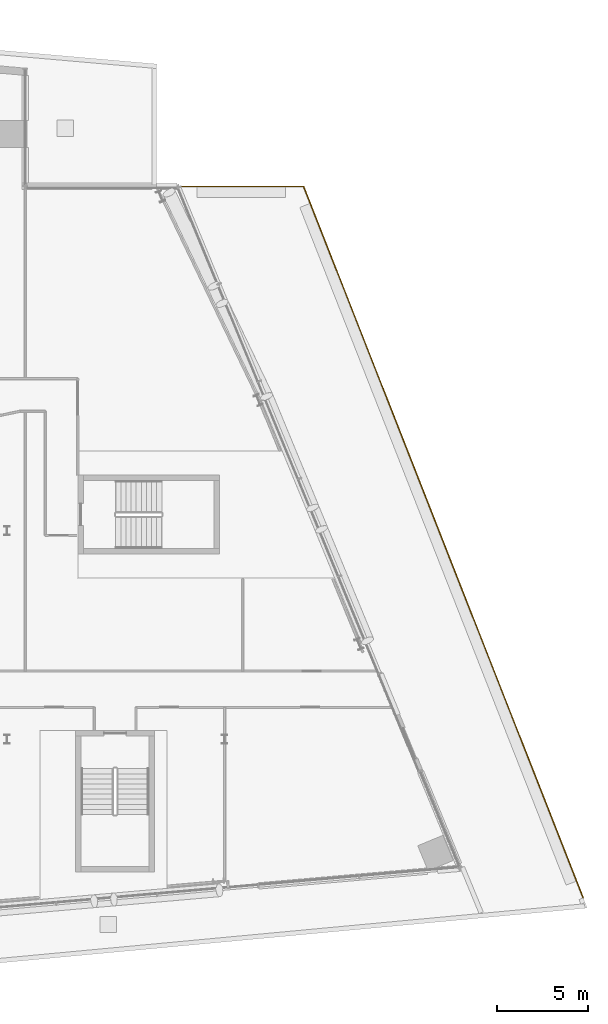
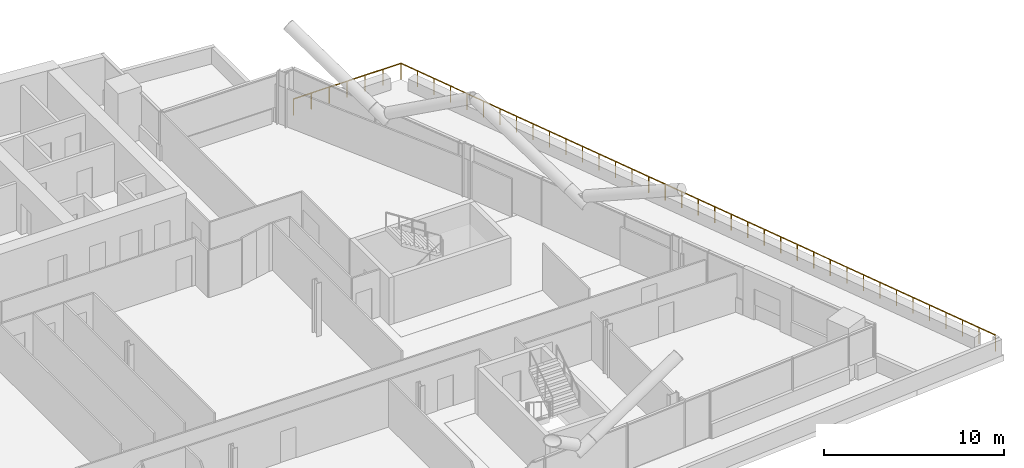
# One storey, part 30 of 30: 1 railing.
"""IFC4 building model written with IfcOpenShell, lengths in metres."""

from ifc_helpers import new_model, si_unit, direction, frame, origin, origin_2d, place, context, subcontext, project, spatial, circle, extrude, material, type_object, element, save


model = new_model("IFC4")

# Units and contexts
model_context = context("Model", 3, precision=1e-05, world=origin(), true_north=direction((0.0, 1.0)))
body_context = subcontext(model_context, "Body", "Model", "MODEL_VIEW")
ifc_project = project(units=[si_unit("LENGTHUNIT", "METRE"), si_unit("AREAUNIT", "SQUARE_METRE"), si_unit("VOLUMEUNIT", "CUBIC_METRE"), si_unit("PLANEANGLEUNIT", "RADIAN"), si_unit("MASSUNIT", "GRAM", prefix="KILO")], contexts=[model_context])

# Site, building, storey
site_placement = place(None, origin())
site = spatial("IfcSite", under=ifc_project, at=site_placement, CompositionType="ELEMENT")
building_placement = place(site_placement, origin())
building = spatial("IfcBuilding", under=site, at=building_placement, Name="Wharfspan Tower", CompositionType="ELEMENT")
storey_placement = place(building_placement, frame((0.0, 0.0, 151.899902)))
storey = spatial("IfcBuildingStorey", under=building, at=storey_placement, Name="L36", CompositionType="ELEMENT", Elevation=151.899902)

# Railing
ifc_material = material(Name="Steel S355J2", Category="steel")
railing_type = type_object("IfcRailingType", Name="GUARD 1100 STEEL AND GLASS", PredefinedType="GUARDRAIL", material=ifc_material)
railing_placement = place(storey_placement, frame((69.477051, 42.0, 0.0)))
element("IfcRailing", 1, at=railing_placement, inside=storey, type_object=railing_type, Name="Terrace guard T2E", PredefinedType="GUARDRAIL", context=body_context, shape_type="SweptSolid", body=[
    extrude(circle(Radius=0.024902, at=origin_2d()), frame((0.0, 0.0, 1.075195), z_axis=(1.0, 0.0, 0.0), x_axis=(0.0, 1.0, 0.0)), (0.0, 0.0, 1.0), 6.881104),
    extrude(circle(Radius=0.024902, at=origin_2d()), frame((6.881104, 0.0, 1.075195), z_axis=(0.365775, -0.930703, 0.0), x_axis=(0.930703, 0.365775, 0.0)), (0.0, 0.0, 1.0), 42.163574),
    extrude(circle(Radius=0.02002, at=origin_2d()), origin(), (0.0, 0.0, 1.0), 1.050049),
    extrude(circle(Radius=0.02002, at=origin_2d()), frame((1.146973, 0.0, 0.0)), (0.0, 0.0, 1.0), 1.050049),
    extrude(circle(Radius=0.02002, at=origin_2d()), frame((2.293701, 0.0, 0.0)), (0.0, 0.0, 1.0), 1.050049),
    extrude(circle(Radius=0.02002, at=origin_2d()), frame((3.44043, 0.0, 0.0)), (0.0, 0.0, 1.0), 1.050049),
    extrude(circle(Radius=0.02002, at=origin_2d()), frame((4.587402, 0.0, 0.0)), (0.0, 0.0, 1.0), 1.050049),
    extrude(circle(Radius=0.02002, at=origin_2d()), frame((5.734375, 0.0, 0.0)), (0.0, 0.0, 1.0), 1.050049),
    extrude(circle(Radius=0.02002, at=origin_2d()), frame((6.881104, 0.0, 0.0)), (0.0, 0.0, 1.0), 1.050049),
    extrude(circle(Radius=0.02002, at=origin_2d()), frame((7.30957, -1.090088, 0.0)), (0.0, 0.0, 1.0), 1.050049),
    extrude(circle(Radius=0.02002, at=origin_2d()), frame((7.737793, -2.180176, 0.0)), (0.0, 0.0, 1.0), 1.050049),
    extrude(circle(Radius=0.02002, at=origin_2d()), frame((8.16626, -3.27002, 0.0)), (0.0, 0.0, 1.0), 1.050049),
    extrude(circle(Radius=0.02002, at=origin_2d()), frame((8.594727, -4.360107, 0.0)), (0.0, 0.0, 1.0), 1.050049),
    extrude(circle(Radius=0.02002, at=origin_2d()), frame((9.023193, -5.450195, 0.0)), (0.0, 0.0, 1.0), 1.050049),
    extrude(circle(Radius=0.02002, at=origin_2d()), frame((9.451416, -6.540283, 0.0)), (0.0, 0.0, 1.0), 1.050049),
    extrude(circle(Radius=0.02002, at=origin_2d()), frame((9.879883, -7.630371, 0.0)), (0.0, 0.0, 1.0), 1.050049),
    extrude(circle(Radius=0.02002, at=origin_2d()), frame((10.30835, -8.720459, 0.0)), (0.0, 0.0, 1.0), 1.050049),
    extrude(circle(Radius=0.02002, at=origin_2d()), frame((10.736816, -9.810547, 0.0)), (0.0, 0.0, 1.0), 1.050049),
    extrude(circle(Radius=0.02002, at=origin_2d()), frame((11.165039, -10.900391, 0.0)), (0.0, 0.0, 1.0), 1.050049),
    extrude(circle(Radius=0.02002, at=origin_2d()), frame((11.593506, -11.990479, 0.0)), (0.0, 0.0, 1.0), 1.050049),
    extrude(circle(Radius=0.02002, at=origin_2d()), frame((12.021973, -13.080566, 0.0)), (0.0, 0.0, 1.0), 1.050049),
    extrude(circle(Radius=0.02002, at=origin_2d()), frame((12.450195, -14.170654, 0.0)), (0.0, 0.0, 1.0), 1.050049),
    extrude(circle(Radius=0.02002, at=origin_2d()), frame((12.878662, -15.260742, 0.0)), (0.0, 0.0, 1.0), 1.050049),
    extrude(circle(Radius=0.02002, at=origin_2d()), frame((13.307129, -16.350586, 0.0)), (0.0, 0.0, 1.0), 1.050049),
    extrude(circle(Radius=0.02002, at=origin_2d()), frame((13.735596, -17.440674, 0.0)), (0.0, 0.0, 1.0), 1.050049),
    extrude(circle(Radius=0.02002, at=origin_2d()), frame((14.163818, -18.530762, 0.0)), (0.0, 0.0, 1.0), 1.050049),
    extrude(circle(Radius=0.02002, at=origin_2d()), frame((14.592285, -19.62085, 0.0)), (0.0, 0.0, 1.0), 1.050049),
    extrude(circle(Radius=0.02002, at=origin_2d()), frame((15.020752, -20.710938, 0.0)), (0.0, 0.0, 1.0), 1.050049),
    extrude(circle(Radius=0.02002, at=origin_2d()), frame((15.448975, -21.801025, 0.0)), (0.0, 0.0, 1.0), 1.050049),
    extrude(circle(Radius=0.02002, at=origin_2d()), frame((15.877441, -22.891113, 0.0)), (0.0, 0.0, 1.0), 1.050049),
    extrude(circle(Radius=0.02002, at=origin_2d()), frame((16.305908, -23.980957, 0.0)), (0.0, 0.0, 1.0), 1.050049),
    extrude(circle(Radius=0.02002, at=origin_2d()), frame((16.734375, -25.071045, 0.0)), (0.0, 0.0, 1.0), 1.050049),
    extrude(circle(Radius=0.02002, at=origin_2d()), frame((17.162598, -26.161133, 0.0)), (0.0, 0.0, 1.0), 1.050049),
    extrude(circle(Radius=0.02002, at=origin_2d()), frame((17.591064, -27.251221, 0.0)), (0.0, 0.0, 1.0), 1.050049),
    extrude(circle(Radius=0.02002, at=origin_2d()), frame((18.019531, -28.341309, 0.0)), (0.0, 0.0, 1.0), 1.050049),
    extrude(circle(Radius=0.02002, at=origin_2d()), frame((18.447754, -29.431152, 0.0)), (0.0, 0.0, 1.0), 1.050049),
    extrude(circle(Radius=0.02002, at=origin_2d()), frame((18.876221, -30.52124, 0.0)), (0.0, 0.0, 1.0), 1.050049),
    extrude(circle(Radius=0.02002, at=origin_2d()), frame((19.304688, -31.611328, 0.0)), (0.0, 0.0, 1.0), 1.050049),
    extrude(circle(Radius=0.02002, at=origin_2d()), frame((19.733154, -32.701416, 0.0)), (0.0, 0.0, 1.0), 1.050049),
    extrude(circle(Radius=0.02002, at=origin_2d()), frame((20.161377, -33.791504, 0.0)), (0.0, 0.0, 1.0), 1.050049),
    extrude(circle(Radius=0.02002, at=origin_2d()), frame((20.589844, -34.881592, 0.0)), (0.0, 0.0, 1.0), 1.050049),
    extrude(circle(Radius=0.02002, at=origin_2d()), frame((21.018311, -35.97168, 0.0)), (0.0, 0.0, 1.0), 1.050049),
    extrude(circle(Radius=0.02002, at=origin_2d()), frame((21.446777, -37.061523, 0.0)), (0.0, 0.0, 1.0), 1.050049),
    extrude(circle(Radius=0.02002, at=origin_2d()), frame((21.875, -38.151611, 0.0)), (0.0, 0.0, 1.0), 1.050049),
    extrude(circle(Radius=0.02002, at=origin_2d()), frame((22.303467, -39.241699, 0.0)), (0.0, 0.0, 1.0), 1.050049),
])

save(model, "model.ifc")
